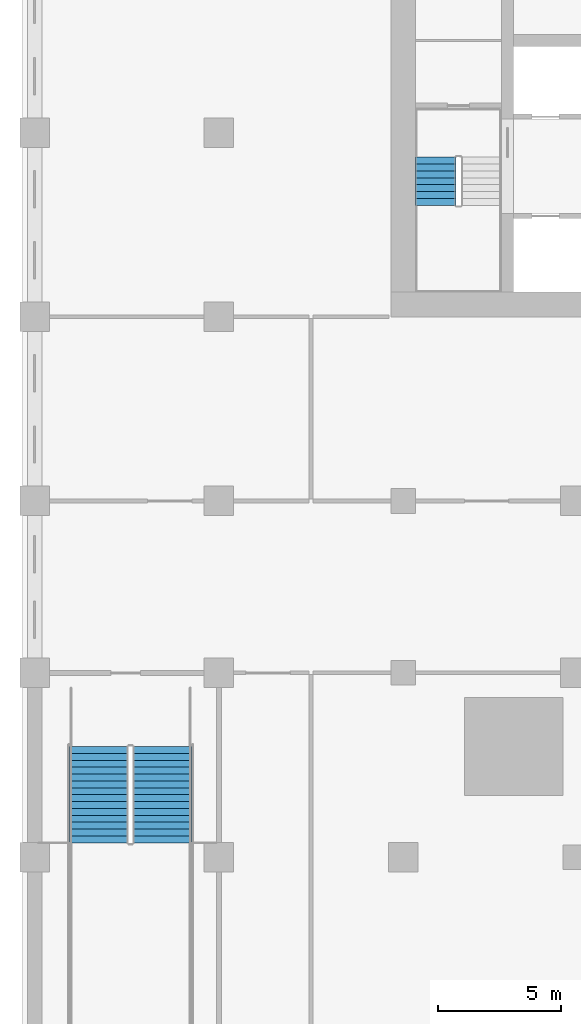
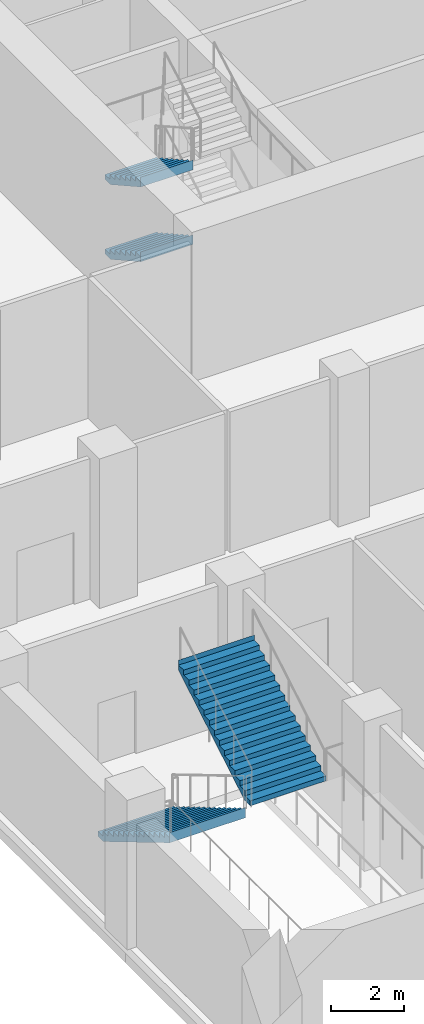
# One storey, part 13 of 32: 4 stair flights, 2 elements without a shape of their own.
"""IFC4 building model written with IfcOpenShell, lengths in metres."""

from ifc_helpers import new_model, si_unit, direction, frame, origin, place, context, subcontext, project, spatial, polyline, outline, extrude, material, type_object, element, aggregate, save


model = new_model("IFC4")

# Units and contexts
model_context = context("Model", 3, precision=1e-05, world=origin(), true_north=direction((0.0, 1.0)))
body_context = subcontext(model_context, "Body", "Model", "MODEL_VIEW")
ifc_project = project(units=[si_unit("LENGTHUNIT", "METRE"), si_unit("AREAUNIT", "SQUARE_METRE"), si_unit("VOLUMEUNIT", "CUBIC_METRE"), si_unit("PLANEANGLEUNIT", "RADIAN"), si_unit("MASSUNIT", "GRAM", prefix="KILO")], contexts=[model_context])

# Site, building, storey
site_placement = place(None, origin())
site = spatial("IfcSite", under=ifc_project, at=site_placement, CompositionType="ELEMENT")
building_placement = place(site_placement, origin())
building = spatial("IfcBuilding", under=site, at=building_placement, Name="Tamorin Gate", CompositionType="ELEMENT")
storey_placement = place(building_placement, frame((0.0, 0.0, 18.5)))
storey = spatial("IfcBuildingStorey", under=building, at=storey_placement, Name="L03", CompositionType="ELEMENT", Elevation=18.5)

# Stair, stair flights
ifc_material_1 = material(Name="Concrete C40/50", Category="concrete")
stair_type_1 = type_object("IfcStairType", Name="Exit stair", PredefinedType="HALF_TURN_STAIR", material=ifc_material_1)
stair_1_placement = place(storey_placement, origin())
stair_1 = element("IfcStair", 1, at=stair_1_placement, inside=storey, type_object=stair_type_1, Name="L03 stair ST1", PredefinedType="HALF_TURN_STAIR")
stair_flight_type_1 = type_object("IfcStairFlightType", Name="Exit stair flight", PredefinedType="STRAIGHT", material=ifc_material_1)
stair_flight_1_placement = place(storey_placement, frame((31.824951171875, 66.5, 0.0), z_axis=(0.0, 0.0, 1.0), x_axis=(0.0, -1.0, 0.0)))
stair_flight_1 = element("IfcStairFlight", 2, at=stair_flight_1_placement, type_object=stair_flight_type_1, Name="ST1 flight 1", NumberOfRisers=8, NumberOfTreads=7, PredefinedType="STRAIGHT", RiserHeight=0.15625, TreadLength=0.28, context=body_context, shape_type="SweptSolid", body=[
    extrude(outline(polyline([(-0.00048828125, 0.0), (-0.00048828125, 0.00146484375), (-0.00048828125, 0.003173828125), (-0.00048828125, 0.004638671875), (-0.00048828125, 0.006103515625), (-0.00048828125, 0.0078125), (-0.00048828125, 0.00927734375), (-0.00048828125, 0.0107421875), (-0.00048828125, 0.012451171875), (-0.00048828125, 0.013916015625), (-0.00048828125, 0.015380859375), (-0.00048828125, 0.01708984375), (-0.00048828125, 0.0185546875), (-0.00048828125, 0.02001953125), (-0.00048828125, 0.021728515625), (-0.00048828125, 0.023193359375), (-0.00048828125, 0.024658203125), (-0.00048828125, 0.0263671875), (-0.00048828125, 0.02783203125), (-0.00048828125, 0.029296875), (-0.00048828125, 0.031005859375), (-0.00048828125, 0.032470703125), (-0.00048828125, 0.033935546875), (-0.00048828125, 0.03564453125), (-0.00048828125, 0.037109375), (-0.00048828125, 0.03857421875), (-0.00048828125, 0.040283203125), (-0.00048828125, 0.041748046875), (-0.00048828125, 0.043212890625), (-0.00048828125, 0.044921875), (-0.00048828125, 0.04638671875), (-0.00048828125, 0.0478515625), (-0.00048828125, 0.049560546875), (-0.00048828125, 0.051025390625), (-0.00048828125, 0.052490234375), (-0.00048828125, 0.05419921875), (-0.00048828125, 0.0556640625), (-0.00048828125, 0.05712890625), (-0.00048828125, 0.058837890625), (-0.00048828125, 0.060302734375), (-0.00048828125, 0.061767578125), (-0.00048828125, 0.0634765625), (-0.00048828125, 0.06494140625), (-0.00048828125, 0.06640625), (-0.00048828125, 0.068115234375), (-0.00048828125, 0.069580078125), (-0.00048828125, 0.071044921875), (-0.00048828125, 0.07275390625), (-0.00048828125, 0.07421875), (-0.00048828125, 0.07568359375), (-0.00048828125, 0.077392578125), (-0.00048828125, 0.078857421875), (-0.00048828125, 0.08056640625), (-0.00048828125, 0.08203125), (-0.00048828125, 0.08349609375), (-0.00048828125, 0.085205078125), (-0.00048828125, 0.086669921875), (-0.00048828125, 0.088134765625), (-0.00048828125, 0.08984375), (-0.00048828125, 0.09130859375), (-0.00048828125, 0.0927734375), (-0.00048828125, 0.094482421875), (-0.00048828125, 0.095947265625), (-0.00048828125, 0.097412109375), (-0.00048828125, 0.09912109375), (-0.00048828125, 0.1005859375), (-0.00048828125, 0.10205078125), (-0.00048828125, 0.103759765625), (-0.00048828125, 0.105224609375), (-0.00048828125, 0.106689453125), (-0.00048828125, 0.1083984375), (-0.00048828125, 0.10986328125), (-0.00048828125, 0.111328125), (-0.00048828125, 0.113037109375), (-0.00048828125, 0.114501953125), (-0.00048828125, 0.115966796875), (-0.00048828125, 0.11767578125), (-0.00048828125, 0.119140625), (-0.00048828125, 0.12060546875), (-0.00048828125, 0.122314453125), (-0.00048828125, 0.123779296875), (-0.00048828125, 0.125244140625), (-0.00048828125, 0.126953125), (-0.00048828125, 0.12841796875), (-0.00048828125, 0.1298828125), (-0.00048828125, 0.131591796875), (-0.00048828125, 0.133056640625), (-0.00048828125, 0.134521484375), (-0.00048828125, 0.13623046875), (-0.00048828125, 0.1376953125), (-0.00048828125, 0.13916015625), (-0.00048828125, 0.140869140625), (-0.00048828125, 0.142333984375), (-0.00048828125, 0.143798828125), (-0.00048828125, 0.1455078125), (-0.00048828125, 0.14697265625), (-0.00048828125, 0.1484375), (-0.00048828125, 0.150146484375), (-0.00048828125, 0.151611328125), (-0.00048828125, 0.153076171875), (-0.00048828125, 0.15478515625), (-0.00048828125, 0.15625), (0.280029296875, 0.15625), (0.280029296875, 0.3125), (0.56005859375, 0.3125), (0.56005859375, 0.46875), (0.840087890625, 0.46875), (0.840087890625, 0.625), (1.1201171875, 0.625), (1.1201171875, 0.78125), (1.39990234375, 0.78125), (1.39990234375, 0.9375), (1.679931640625, 0.9375), (1.679931640625, 1.09375), (1.9599609375, 1.09375), (1.9599609375, 1.25), (1.96044921875, 1.25), (1.96044921875, 1.246826171875), (1.96044921875, 1.243408203125), (1.96044921875, 1.240234375), (1.96044921875, 1.237060546875), (1.96044921875, 1.23388671875), (1.96044921875, 1.23046875), (1.96044921875, 1.227294921875), (1.96044921875, 1.22412109375), (1.96044921875, 1.220703125), (1.96044921875, 1.217529296875), (1.96044921875, 1.21435546875), (1.96044921875, 1.2109375), (1.96044921875, 1.207763671875), (1.96044921875, 1.20458984375), (1.96044921875, 1.201416015625), (1.96044921875, 1.197998046875), (1.96044921875, 1.19482421875), (1.96044921875, 1.191650390625), (1.96044921875, 1.188232421875), (1.96044921875, 1.18505859375), (1.96044921875, 1.181884765625), (1.96044921875, 1.178466796875), (1.96044921875, 1.17529296875), (1.96044921875, 1.172119140625), (1.96044921875, 1.1689453125), (1.96044921875, 1.16552734375), (1.96044921875, 1.162353515625), (1.96044921875, 1.1591796875), (1.96044921875, 1.15576171875), (1.96044921875, 1.152587890625), (1.96044921875, 1.1494140625), (1.96044921875, 1.14599609375), (1.96044921875, 1.142822265625), (1.96044921875, 1.1396484375), (1.96044921875, 1.136474609375), (1.96044921875, 1.133056640625), (1.96044921875, 1.1298828125), (1.96044921875, 1.126708984375), (1.96044921875, 1.123291015625), (1.96044921875, 1.1201171875), (1.96044921875, 1.116943359375), (1.96044921875, 1.113525390625), (1.96044921875, 1.1103515625), (1.96044921875, 1.107177734375), (1.96044921875, 1.10400390625), (1.96044921875, 1.1005859375), (1.96044921875, 1.097412109375), (1.96044921875, 1.09423828125), (1.96044921875, 1.0908203125), (1.96044921875, 1.087646484375), (1.96044921875, 1.08447265625), (1.96044921875, 1.0810546875), (1.96044921875, 1.077880859375), (1.96044921875, 1.07470703125), (1.96044921875, 1.071533203125), (1.96044921875, 1.068115234375), (1.96044921875, 1.06494140625), (1.96044921875, 1.061767578125), (1.96044921875, 1.058349609375), (1.96044921875, 1.05517578125), (1.96044921875, 1.052001953125), (1.96044921875, 1.048828125), (1.96044921875, 1.04541015625), (1.96044921875, 1.042236328125), (1.96044921875, 1.0390625), (1.96044921875, 1.03564453125), (1.96044921875, 1.032470703125), (1.96044921875, 1.029296875), (1.96044921875, 1.02587890625), (1.96044921875, 1.022705078125), (1.96044921875, 1.01953125), (1.96044921875, 1.016357421875), (1.96044921875, 1.012939453125), (1.96044921875, 1.009765625), (1.96044921875, 1.006591796875), (1.96044921875, 1.003173828125), (1.96044921875, 1.0), (1.96044921875, 0.996826171875), (1.96044921875, 0.993408203125), (1.96044921875, 0.990234375), (1.96044921875, 0.987060546875), (1.96044921875, 0.98388671875), (1.96044921875, 0.98046875), (1.96044921875, 0.977294921875), (1.96044921875, 0.97412109375), (1.96044921875, 0.970703125), (1.96044921875, 0.967529296875), (1.96044921875, 0.96435546875), (1.96044921875, 0.9609375), (1.96044921875, 0.957763671875), (1.96044921875, 0.95458984375), (1.96044921875, 0.951416015625), (1.96044921875, 0.947998046875), (1.96044921875, 0.94482421875), (1.96044921875, 0.941650390625), (1.96044921875, 0.938232421875), (1.96044921875, 0.93505859375), (1.96044921875, 0.931884765625), (1.96044921875, 0.928466796875), (1.96044921875, 0.92529296875), (1.96044921875, 0.922119140625), (1.9599609375, 0.922119140625), (0.3076171875, 0.0), (-0.00048828125, 0.0)])), frame((0.0, 0.824951171875, 0.0), z_axis=(0.0, -1.0, 0.0), x_axis=(1.0, 0.0, 0.0)), (0.0, 0.0, 1.0), 1.64990234375),
])
stair_flight_2_placement = place(storey_placement, frame((31.824951171875, 66.5, 2.5), z_axis=(0.0, 0.0, 1.0), x_axis=(0.0, -1.0, 0.0)))
stair_flight_2 = element("IfcStairFlight", 3, at=stair_flight_2_placement, type_object=stair_flight_type_1, Name="ST1 flight 3", NumberOfRisers=8, NumberOfTreads=7, PredefinedType="STRAIGHT", RiserHeight=0.15625, TreadLength=0.28, context=body_context, shape_type="SweptSolid", body=[
    extrude(outline(polyline([(-0.00048828125, 0.0), (-0.00048828125, 0.00146484375), (-0.00048828125, 0.003173828125), (-0.00048828125, 0.004638671875), (-0.00048828125, 0.006103515625), (-0.00048828125, 0.0078125), (-0.00048828125, 0.00927734375), (-0.00048828125, 0.0107421875), (-0.00048828125, 0.012451171875), (-0.00048828125, 0.013916015625), (-0.00048828125, 0.015380859375), (-0.00048828125, 0.01708984375), (-0.00048828125, 0.0185546875), (-0.00048828125, 0.02001953125), (-0.00048828125, 0.021728515625), (-0.00048828125, 0.023193359375), (-0.00048828125, 0.024658203125), (-0.00048828125, 0.0263671875), (-0.00048828125, 0.02783203125), (-0.00048828125, 0.029296875), (-0.00048828125, 0.031005859375), (-0.00048828125, 0.032470703125), (-0.00048828125, 0.033935546875), (-0.00048828125, 0.03564453125), (-0.00048828125, 0.037109375), (-0.00048828125, 0.03857421875), (-0.00048828125, 0.040283203125), (-0.00048828125, 0.041748046875), (-0.00048828125, 0.043212890625), (-0.00048828125, 0.044921875), (-0.00048828125, 0.04638671875), (-0.00048828125, 0.0478515625), (-0.00048828125, 0.049560546875), (-0.00048828125, 0.051025390625), (-0.00048828125, 0.052490234375), (-0.00048828125, 0.05419921875), (-0.00048828125, 0.0556640625), (-0.00048828125, 0.05712890625), (-0.00048828125, 0.058837890625), (-0.00048828125, 0.060302734375), (-0.00048828125, 0.061767578125), (-0.00048828125, 0.0634765625), (-0.00048828125, 0.06494140625), (-0.00048828125, 0.06640625), (-0.00048828125, 0.068115234375), (-0.00048828125, 0.069580078125), (-0.00048828125, 0.071044921875), (-0.00048828125, 0.07275390625), (-0.00048828125, 0.07421875), (-0.00048828125, 0.07568359375), (-0.00048828125, 0.077392578125), (-0.00048828125, 0.078857421875), (-0.00048828125, 0.08056640625), (-0.00048828125, 0.08203125), (-0.00048828125, 0.08349609375), (-0.00048828125, 0.085205078125), (-0.00048828125, 0.086669921875), (-0.00048828125, 0.088134765625), (-0.00048828125, 0.08984375), (-0.00048828125, 0.09130859375), (-0.00048828125, 0.0927734375), (-0.00048828125, 0.094482421875), (-0.00048828125, 0.095947265625), (-0.00048828125, 0.097412109375), (-0.00048828125, 0.09912109375), (-0.00048828125, 0.1005859375), (-0.00048828125, 0.10205078125), (-0.00048828125, 0.103759765625), (-0.00048828125, 0.105224609375), (-0.00048828125, 0.106689453125), (-0.00048828125, 0.1083984375), (-0.00048828125, 0.10986328125), (-0.00048828125, 0.111328125), (-0.00048828125, 0.113037109375), (-0.00048828125, 0.114501953125), (-0.00048828125, 0.115966796875), (-0.00048828125, 0.11767578125), (-0.00048828125, 0.119140625), (-0.00048828125, 0.12060546875), (-0.00048828125, 0.122314453125), (-0.00048828125, 0.123779296875), (-0.00048828125, 0.125244140625), (-0.00048828125, 0.126953125), (-0.00048828125, 0.12841796875), (-0.00048828125, 0.1298828125), (-0.00048828125, 0.131591796875), (-0.00048828125, 0.133056640625), (-0.00048828125, 0.134521484375), (-0.00048828125, 0.13623046875), (-0.00048828125, 0.1376953125), (-0.00048828125, 0.13916015625), (-0.00048828125, 0.140869140625), (-0.00048828125, 0.142333984375), (-0.00048828125, 0.143798828125), (-0.00048828125, 0.1455078125), (-0.00048828125, 0.14697265625), (-0.00048828125, 0.1484375), (-0.00048828125, 0.150146484375), (-0.00048828125, 0.151611328125), (-0.00048828125, 0.153076171875), (-0.00048828125, 0.15478515625), (-0.00048828125, 0.15625), (0.280029296875, 0.15625), (0.280029296875, 0.3125), (0.56005859375, 0.3125), (0.56005859375, 0.46875), (0.840087890625, 0.46875), (0.840087890625, 0.625), (1.1201171875, 0.625), (1.1201171875, 0.78125), (1.39990234375, 0.78125), (1.39990234375, 0.9375), (1.679931640625, 0.9375), (1.679931640625, 1.09375), (1.9599609375, 1.09375), (1.9599609375, 1.25), (1.96044921875, 1.25), (1.96044921875, 1.246826171875), (1.96044921875, 1.243408203125), (1.96044921875, 1.240234375), (1.96044921875, 1.237060546875), (1.96044921875, 1.23388671875), (1.96044921875, 1.23046875), (1.96044921875, 1.227294921875), (1.96044921875, 1.22412109375), (1.96044921875, 1.220703125), (1.96044921875, 1.217529296875), (1.96044921875, 1.21435546875), (1.96044921875, 1.2109375), (1.96044921875, 1.207763671875), (1.96044921875, 1.20458984375), (1.96044921875, 1.201416015625), (1.96044921875, 1.197998046875), (1.96044921875, 1.19482421875), (1.96044921875, 1.191650390625), (1.96044921875, 1.188232421875), (1.96044921875, 1.18505859375), (1.96044921875, 1.181884765625), (1.96044921875, 1.178466796875), (1.96044921875, 1.17529296875), (1.96044921875, 1.172119140625), (1.96044921875, 1.1689453125), (1.96044921875, 1.16552734375), (1.96044921875, 1.162353515625), (1.96044921875, 1.1591796875), (1.96044921875, 1.15576171875), (1.96044921875, 1.152587890625), (1.96044921875, 1.1494140625), (1.96044921875, 1.14599609375), (1.96044921875, 1.142822265625), (1.96044921875, 1.1396484375), (1.96044921875, 1.136474609375), (1.96044921875, 1.133056640625), (1.96044921875, 1.1298828125), (1.96044921875, 1.126708984375), (1.96044921875, 1.123291015625), (1.96044921875, 1.1201171875), (1.96044921875, 1.116943359375), (1.96044921875, 1.113525390625), (1.96044921875, 1.1103515625), (1.96044921875, 1.107177734375), (1.96044921875, 1.10400390625), (1.96044921875, 1.1005859375), (1.96044921875, 1.097412109375), (1.96044921875, 1.09423828125), (1.96044921875, 1.0908203125), (1.96044921875, 1.087646484375), (1.96044921875, 1.08447265625), (1.96044921875, 1.0810546875), (1.96044921875, 1.077880859375), (1.96044921875, 1.07470703125), (1.96044921875, 1.071533203125), (1.96044921875, 1.068115234375), (1.96044921875, 1.06494140625), (1.96044921875, 1.061767578125), (1.96044921875, 1.058349609375), (1.96044921875, 1.05517578125), (1.96044921875, 1.052001953125), (1.96044921875, 1.048828125), (1.96044921875, 1.04541015625), (1.96044921875, 1.042236328125), (1.96044921875, 1.0390625), (1.96044921875, 1.03564453125), (1.96044921875, 1.032470703125), (1.96044921875, 1.029296875), (1.96044921875, 1.02587890625), (1.96044921875, 1.022705078125), (1.96044921875, 1.01953125), (1.96044921875, 1.016357421875), (1.96044921875, 1.012939453125), (1.96044921875, 1.009765625), (1.96044921875, 1.006591796875), (1.96044921875, 1.003173828125), (1.96044921875, 1.0), (1.96044921875, 0.996826171875), (1.96044921875, 0.993408203125), (1.96044921875, 0.990234375), (1.96044921875, 0.987060546875), (1.96044921875, 0.98388671875), (1.96044921875, 0.98046875), (1.96044921875, 0.977294921875), (1.96044921875, 0.97412109375), (1.96044921875, 0.970703125), (1.96044921875, 0.967529296875), (1.96044921875, 0.96435546875), (1.96044921875, 0.9609375), (1.96044921875, 0.957763671875), (1.96044921875, 0.95458984375), (1.96044921875, 0.951416015625), (1.96044921875, 0.947998046875), (1.96044921875, 0.94482421875), (1.96044921875, 0.941650390625), (1.96044921875, 0.938232421875), (1.96044921875, 0.93505859375), (1.96044921875, 0.931884765625), (1.96044921875, 0.928466796875), (1.96044921875, 0.92529296875), (1.96044921875, 0.922119140625), (1.9599609375, 0.922119140625), (0.3076171875, 0.0), (-0.00048828125, 0.0)])), frame((0.0, 0.824951171875, 0.0), z_axis=(0.0, -1.0, 0.0), x_axis=(1.0, 0.0, 0.0)), (0.0, 0.0, 1.0), 1.64990234375),
])
aggregate(stair_1, [stair_flight_1, stair_flight_2])

ifc_material_2 = material(Name="Reinforced concrete C32/40", Category="concrete")
stair_type_2 = type_object("IfcStairType", Name="Podium stair PS", PredefinedType="HALF_TURN_STAIR", material=ifc_material_2)
stair_2_placement = place(storey_placement, origin())
stair_2 = element("IfcStair", 4, at=stair_2_placement, inside=storey, type_object=stair_type_2, Name="L03 Podium stair PS1", PredefinedType="HALF_TURN_STAIR")
stair_flight_type_2 = type_object("IfcStairFlightType", Name="Stair flight 2400", PredefinedType="STRAIGHT", material=ifc_material_2)
stair_flight_3_placement = place(storey_placement, frame((18.125, 42.5, 0.0), z_axis=(0.0, 0.0, 1.0), x_axis=(0.0, -1.0, 0.0)))
stair_flight_3 = element("IfcStairFlight", 5, at=stair_flight_3_placement, type_object=stair_flight_type_2, Name="PS1 flight 1", NumberOfRisers=15, NumberOfTreads=14, PredefinedType="STRAIGHT", RiserHeight=0.166666667, TreadLength=0.28, context=body_context, shape_type="SweptSolid", body=[
    extrude(outline(polyline([(-0.00048828125, 0.0), (-0.00048828125, 0.001708984375), (-0.00048828125, 0.00341796875), (-0.00048828125, 0.0048828125), (-0.00048828125, 0.006591796875), (-0.00048828125, 0.00830078125), (-0.00048828125, 0.010009765625), (-0.00048828125, 0.011474609375), (-0.00048828125, 0.01318359375), (-0.00048828125, 0.014892578125), (-0.00048828125, 0.0166015625), (-0.00048828125, 0.01806640625), (-0.00048828125, 0.019775390625), (-0.00048828125, 0.021484375), (-0.00048828125, 0.023193359375), (-0.00048828125, 0.024658203125), (-0.00048828125, 0.0263671875), (-0.00048828125, 0.028076171875), (-0.00048828125, 0.02978515625), (-0.00048828125, 0.03125), (-0.00048828125, 0.032958984375), (-0.00048828125, 0.03466796875), (-0.00048828125, 0.036376953125), (-0.00048828125, 0.037841796875), (-0.00048828125, 0.03955078125), (-0.00048828125, 0.041259765625), (-0.00048828125, 0.04296875), (-0.00048828125, 0.04443359375), (-0.00048828125, 0.046142578125), (-0.00048828125, 0.0478515625), (-0.00048828125, 0.049560546875), (-0.00048828125, 0.05126953125), (-0.00048828125, 0.052734375), (-0.00048828125, 0.054443359375), (-0.00048828125, 0.05615234375), (-0.00048828125, 0.057861328125), (-0.00048828125, 0.059326171875), (-0.00048828125, 0.06103515625), (-0.00048828125, 0.062744140625), (-0.00048828125, 0.064453125), (-0.00048828125, 0.06591796875), (-0.00048828125, 0.067626953125), (-0.00048828125, 0.0693359375), (-0.00048828125, 0.071044921875), (-0.00048828125, 0.072509765625), (-0.00048828125, 0.07421875), (-0.00048828125, 0.075927734375), (-0.00048828125, 0.07763671875), (-0.00048828125, 0.0791015625), (-0.00048828125, 0.080810546875), (-0.00048828125, 0.08251953125), (-0.00048828125, 0.084228515625), (-0.00048828125, 0.085693359375), (-0.00048828125, 0.08740234375), (-0.00048828125, 0.089111328125), (-0.00048828125, 0.0908203125), (-0.00048828125, 0.092529296875), (-0.00048828125, 0.093994140625), (-0.00048828125, 0.095703125), (-0.00048828125, 0.097412109375), (-0.00048828125, 0.09912109375), (-0.00048828125, 0.1005859375), (-0.00048828125, 0.102294921875), (-0.00048828125, 0.10400390625), (-0.00048828125, 0.105712890625), (-0.00048828125, 0.107177734375), (-0.00048828125, 0.10888671875), (-0.00048828125, 0.110595703125), (-0.00048828125, 0.1123046875), (-0.00048828125, 0.11376953125), (-0.00048828125, 0.115478515625), (-0.00048828125, 0.1171875), (-0.00048828125, 0.118896484375), (-0.00048828125, 0.120361328125), (-0.00048828125, 0.1220703125), (-0.00048828125, 0.123779296875), (-0.00048828125, 0.12548828125), (-0.00048828125, 0.126953125), (-0.00048828125, 0.128662109375), (-0.00048828125, 0.13037109375), (-0.00048828125, 0.132080078125), (-0.00048828125, 0.133544921875), (-0.00048828125, 0.13525390625), (-0.00048828125, 0.136962890625), (-0.00048828125, 0.138671875), (-0.00048828125, 0.140380859375), (-0.00048828125, 0.141845703125), (-0.00048828125, 0.1435546875), (-0.00048828125, 0.145263671875), (-0.00048828125, 0.14697265625), (-0.00048828125, 0.1484375), (-0.00048828125, 0.150146484375), (-0.00048828125, 0.15185546875), (-0.00048828125, 0.153564453125), (-0.00048828125, 0.155029296875), (-0.00048828125, 0.15673828125), (-0.00048828125, 0.158447265625), (-0.00048828125, 0.16015625), (-0.00048828125, 0.16162109375), (-0.00048828125, 0.163330078125), (-0.00048828125, 0.1650390625), (-0.00048828125, 0.166748046875), (0.280029296875, 0.166748046875), (0.280029296875, 0.333251953125), (0.56005859375, 0.333251953125), (0.56005859375, 0.5), (0.840087890625, 0.5), (0.840087890625, 0.666748046875), (1.1201171875, 0.666748046875), (1.1201171875, 0.833251953125), (1.39990234375, 0.833251953125), (1.39990234375, 1.0), (1.679931640625, 1.0), (1.679931640625, 1.166748046875), (1.9599609375, 1.166748046875), (1.9599609375, 1.333251953125), (2.239990234375, 1.333251953125), (2.239990234375, 1.5), (2.52001953125, 1.5), (2.52001953125, 1.666748046875), (2.800048828125, 1.666748046875), (2.800048828125, 1.833251953125), (3.080078125, 1.833251953125), (3.080078125, 2.0), (3.360107421875, 2.0), (3.360107421875, 2.166748046875), (3.639892578125, 2.166748046875), (3.639892578125, 2.333251953125), (3.919921875, 2.333251953125), (3.919921875, 2.5), (3.92041015625, 2.5), (3.92041015625, 2.49658203125), (3.92041015625, 2.4931640625), (3.92041015625, 2.48974609375), (3.92041015625, 2.486572265625), (3.92041015625, 2.483154296875), (3.92041015625, 2.479736328125), (3.92041015625, 2.476318359375), (3.92041015625, 2.472900390625), (3.92041015625, 2.469482421875), (3.92041015625, 2.46630859375), (3.92041015625, 2.462890625), (3.92041015625, 2.45947265625), (3.92041015625, 2.4560546875), (3.92041015625, 2.45263671875), (3.92041015625, 2.44921875), (3.92041015625, 2.446044921875), (3.92041015625, 2.442626953125), (3.92041015625, 2.439208984375), (3.92041015625, 2.435791015625), (3.92041015625, 2.432373046875), (3.92041015625, 2.428955078125), (3.92041015625, 2.42578125), (3.92041015625, 2.42236328125), (3.92041015625, 2.4189453125), (3.92041015625, 2.41552734375), (3.92041015625, 2.412109375), (3.92041015625, 2.40869140625), (3.92041015625, 2.405517578125), (3.92041015625, 2.402099609375), (3.92041015625, 2.398681640625), (3.92041015625, 2.395263671875), (3.92041015625, 2.391845703125), (3.92041015625, 2.388427734375), (3.92041015625, 2.38525390625), (3.92041015625, 2.3818359375), (3.92041015625, 2.37841796875), (3.92041015625, 2.375), (3.92041015625, 2.37158203125), (3.92041015625, 2.3681640625), (3.92041015625, 2.364990234375), (3.92041015625, 2.361572265625), (3.92041015625, 2.358154296875), (3.92041015625, 2.354736328125), (3.92041015625, 2.351318359375), (3.92041015625, 2.347900390625), (3.92041015625, 2.3447265625), (3.92041015625, 2.34130859375), (3.92041015625, 2.337890625), (3.92041015625, 2.33447265625), (3.92041015625, 2.3310546875), (3.92041015625, 2.32763671875), (3.92041015625, 2.324462890625), (3.92041015625, 2.321044921875), (3.92041015625, 2.317626953125), (3.92041015625, 2.314208984375), (3.92041015625, 2.310791015625), (3.92041015625, 2.307373046875), (3.92041015625, 2.30419921875), (3.92041015625, 2.30078125), (3.92041015625, 2.29736328125), (3.92041015625, 2.2939453125), (3.92041015625, 2.29052734375), (3.92041015625, 2.287109375), (3.92041015625, 2.283935546875), (3.92041015625, 2.280517578125), (3.92041015625, 2.277099609375), (3.92041015625, 2.273681640625), (3.92041015625, 2.270263671875), (3.92041015625, 2.266845703125), (3.92041015625, 2.263671875), (3.92041015625, 2.26025390625), (3.92041015625, 2.2568359375), (3.92041015625, 2.25341796875), (3.92041015625, 2.25), (3.92041015625, 2.24658203125), (3.92041015625, 2.243408203125), (3.92041015625, 2.239990234375), (3.92041015625, 2.236572265625), (3.92041015625, 2.233154296875), (3.92041015625, 2.229736328125), (3.92041015625, 2.226318359375), (3.92041015625, 2.22314453125), (3.92041015625, 2.2197265625), (3.92041015625, 2.21630859375), (3.92041015625, 2.212890625), (3.92041015625, 2.20947265625), (3.92041015625, 2.2060546875), (3.92041015625, 2.202880859375), (3.92041015625, 2.199462890625), (3.92041015625, 2.196044921875), (3.92041015625, 2.192626953125), (3.92041015625, 2.189208984375), (3.92041015625, 2.185791015625), (3.92041015625, 2.1826171875), (3.92041015625, 2.17919921875), (3.92041015625, 2.17578125), (3.92041015625, 2.17236328125), (3.92041015625, 2.1689453125), (3.92041015625, 2.16552734375), (3.92041015625, 2.162353515625), (3.92041015625, 2.158935546875), (3.919921875, 2.158935546875), (0.29296875, 0.0), (-0.00048828125, 0.0)])), frame((0.0, 1.199951171875, 0.0), z_axis=(0.0, -1.0, 0.0), x_axis=(1.0, 0.0, 0.0)), (0.0, 0.0, 1.0), 2.39990234375),
])
stair_flight_4_placement = place(storey_placement, frame((20.675048828125, 38.580078125, 2.5), z_axis=(0.0, 0.0, 1.0), x_axis=(0.0, 1.0, 0.0)))
stair_flight_4 = element("IfcStairFlight", 6, at=stair_flight_4_placement, type_object=stair_flight_type_2, Name="PS1 flight 2", NumberOfRisers=15, NumberOfTreads=14, PredefinedType="STRAIGHT", RiserHeight=0.166666667, TreadLength=0.28, context=body_context, shape_type="SweptSolid", body=[
    extrude(outline(polyline([(-0.00048828125, 0.0), (-0.00048828125, 0.001708984375), (-0.00048828125, 0.00341796875), (-0.00048828125, 0.0048828125), (-0.00048828125, 0.006591796875), (-0.00048828125, 0.00830078125), (-0.00048828125, 0.010009765625), (-0.00048828125, 0.011474609375), (-0.00048828125, 0.01318359375), (-0.00048828125, 0.014892578125), (-0.00048828125, 0.0166015625), (-0.00048828125, 0.01806640625), (-0.00048828125, 0.019775390625), (-0.00048828125, 0.021484375), (-0.00048828125, 0.023193359375), (-0.00048828125, 0.024658203125), (-0.00048828125, 0.0263671875), (-0.00048828125, 0.028076171875), (-0.00048828125, 0.02978515625), (-0.00048828125, 0.03125), (-0.00048828125, 0.032958984375), (-0.00048828125, 0.03466796875), (-0.00048828125, 0.036376953125), (-0.00048828125, 0.037841796875), (-0.00048828125, 0.03955078125), (-0.00048828125, 0.041259765625), (-0.00048828125, 0.04296875), (-0.00048828125, 0.04443359375), (-0.00048828125, 0.046142578125), (-0.00048828125, 0.0478515625), (-0.00048828125, 0.049560546875), (-0.00048828125, 0.05126953125), (-0.00048828125, 0.052734375), (-0.00048828125, 0.054443359375), (-0.00048828125, 0.05615234375), (-0.00048828125, 0.057861328125), (-0.00048828125, 0.059326171875), (-0.00048828125, 0.06103515625), (-0.00048828125, 0.062744140625), (-0.00048828125, 0.064453125), (-0.00048828125, 0.06591796875), (-0.00048828125, 0.067626953125), (-0.00048828125, 0.0693359375), (-0.00048828125, 0.071044921875), (-0.00048828125, 0.072509765625), (-0.00048828125, 0.07421875), (-0.00048828125, 0.075927734375), (-0.00048828125, 0.07763671875), (-0.00048828125, 0.0791015625), (-0.00048828125, 0.080810546875), (-0.00048828125, 0.08251953125), (-0.00048828125, 0.084228515625), (-0.00048828125, 0.085693359375), (-0.00048828125, 0.08740234375), (-0.00048828125, 0.089111328125), (-0.00048828125, 0.0908203125), (-0.00048828125, 0.092529296875), (-0.00048828125, 0.093994140625), (-0.00048828125, 0.095703125), (-0.00048828125, 0.097412109375), (-0.00048828125, 0.09912109375), (-0.00048828125, 0.1005859375), (-0.00048828125, 0.102294921875), (-0.00048828125, 0.10400390625), (-0.00048828125, 0.105712890625), (-0.00048828125, 0.107177734375), (-0.00048828125, 0.10888671875), (-0.00048828125, 0.110595703125), (-0.00048828125, 0.1123046875), (-0.00048828125, 0.11376953125), (-0.00048828125, 0.115478515625), (-0.00048828125, 0.1171875), (-0.00048828125, 0.118896484375), (-0.00048828125, 0.120361328125), (-0.00048828125, 0.1220703125), (-0.00048828125, 0.123779296875), (-0.00048828125, 0.12548828125), (-0.00048828125, 0.126953125), (-0.00048828125, 0.128662109375), (-0.00048828125, 0.13037109375), (-0.00048828125, 0.132080078125), (-0.00048828125, 0.133544921875), (-0.00048828125, 0.13525390625), (-0.00048828125, 0.136962890625), (-0.00048828125, 0.138671875), (-0.00048828125, 0.140380859375), (-0.00048828125, 0.141845703125), (-0.00048828125, 0.1435546875), (-0.00048828125, 0.145263671875), (-0.00048828125, 0.14697265625), (-0.00048828125, 0.1484375), (-0.00048828125, 0.150146484375), (-0.00048828125, 0.15185546875), (-0.00048828125, 0.153564453125), (-0.00048828125, 0.155029296875), (-0.00048828125, 0.15673828125), (-0.00048828125, 0.158447265625), (-0.00048828125, 0.16015625), (-0.00048828125, 0.16162109375), (-0.00048828125, 0.163330078125), (-0.00048828125, 0.1650390625), (-0.00048828125, 0.166748046875), (0.280029296875, 0.166748046875), (0.280029296875, 0.333251953125), (0.56005859375, 0.333251953125), (0.56005859375, 0.5), (0.840087890625, 0.5), (0.840087890625, 0.666748046875), (1.1201171875, 0.666748046875), (1.1201171875, 0.833251953125), (1.39990234375, 0.833251953125), (1.39990234375, 1.0), (1.679931640625, 1.0), (1.679931640625, 1.166748046875), (1.9599609375, 1.166748046875), (1.9599609375, 1.333251953125), (2.239990234375, 1.333251953125), (2.239990234375, 1.5), (2.52001953125, 1.5), (2.52001953125, 1.666748046875), (2.800048828125, 1.666748046875), (2.800048828125, 1.833251953125), (3.080078125, 1.833251953125), (3.080078125, 2.0), (3.360107421875, 2.0), (3.360107421875, 2.166748046875), (3.639892578125, 2.166748046875), (3.639892578125, 2.333251953125), (3.919921875, 2.333251953125), (3.919921875, 2.5), (3.92041015625, 2.5), (3.92041015625, 2.49658203125), (3.92041015625, 2.4931640625), (3.92041015625, 2.48974609375), (3.92041015625, 2.486572265625), (3.92041015625, 2.483154296875), (3.92041015625, 2.479736328125), (3.92041015625, 2.476318359375), (3.92041015625, 2.472900390625), (3.92041015625, 2.469482421875), (3.92041015625, 2.46630859375), (3.92041015625, 2.462890625), (3.92041015625, 2.45947265625), (3.92041015625, 2.4560546875), (3.92041015625, 2.45263671875), (3.92041015625, 2.44921875), (3.92041015625, 2.446044921875), (3.92041015625, 2.442626953125), (3.92041015625, 2.439208984375), (3.92041015625, 2.435791015625), (3.92041015625, 2.432373046875), (3.92041015625, 2.428955078125), (3.92041015625, 2.42578125), (3.92041015625, 2.42236328125), (3.92041015625, 2.4189453125), (3.92041015625, 2.41552734375), (3.92041015625, 2.412109375), (3.92041015625, 2.40869140625), (3.92041015625, 2.405517578125), (3.92041015625, 2.402099609375), (3.92041015625, 2.398681640625), (3.92041015625, 2.395263671875), (3.92041015625, 2.391845703125), (3.92041015625, 2.388427734375), (3.92041015625, 2.38525390625), (3.92041015625, 2.3818359375), (3.92041015625, 2.37841796875), (3.92041015625, 2.375), (3.92041015625, 2.37158203125), (3.92041015625, 2.3681640625), (3.92041015625, 2.364990234375), (3.92041015625, 2.361572265625), (3.92041015625, 2.358154296875), (3.92041015625, 2.354736328125), (3.92041015625, 2.351318359375), (3.92041015625, 2.347900390625), (3.92041015625, 2.3447265625), (3.92041015625, 2.34130859375), (3.92041015625, 2.337890625), (3.92041015625, 2.33447265625), (3.92041015625, 2.3310546875), (3.92041015625, 2.32763671875), (3.92041015625, 2.324462890625), (3.92041015625, 2.321044921875), (3.92041015625, 2.317626953125), (3.92041015625, 2.314208984375), (3.92041015625, 2.310791015625), (3.92041015625, 2.307373046875), (3.92041015625, 2.30419921875), (3.92041015625, 2.30078125), (3.92041015625, 2.29736328125), (3.92041015625, 2.2939453125), (3.92041015625, 2.29052734375), (3.92041015625, 2.287109375), (3.92041015625, 2.283935546875), (3.92041015625, 2.280517578125), (3.92041015625, 2.277099609375), (3.92041015625, 2.273681640625), (3.92041015625, 2.270263671875), (3.92041015625, 2.266845703125), (3.92041015625, 2.263671875), (3.92041015625, 2.26025390625), (3.92041015625, 2.2568359375), (3.92041015625, 2.25341796875), (3.92041015625, 2.25), (3.92041015625, 2.24658203125), (3.92041015625, 2.243408203125), (3.92041015625, 2.239990234375), (3.92041015625, 2.236572265625), (3.92041015625, 2.233154296875), (3.92041015625, 2.229736328125), (3.92041015625, 2.226318359375), (3.92041015625, 2.22314453125), (3.92041015625, 2.2197265625), (3.92041015625, 2.21630859375), (3.92041015625, 2.212890625), (3.92041015625, 2.20947265625), (3.92041015625, 2.2060546875), (3.92041015625, 2.202880859375), (3.92041015625, 2.199462890625), (3.92041015625, 2.196044921875), (3.92041015625, 2.192626953125), (3.92041015625, 2.189208984375), (3.92041015625, 2.185791015625), (3.92041015625, 2.1826171875), (3.92041015625, 2.17919921875), (3.92041015625, 2.17578125), (3.92041015625, 2.17236328125), (3.92041015625, 2.1689453125), (3.92041015625, 2.16552734375), (3.92041015625, 2.162353515625), (3.92041015625, 2.158935546875), (3.919921875, 2.158935546875), (0.29296875, 0.0), (-0.00048828125, 0.0)])), frame((0.0, 1.199951171875, 0.0), z_axis=(0.0, -1.0, 0.0), x_axis=(1.0, 0.0, 0.0)), (0.0, 0.0, 1.0), 2.39990234375),
])
aggregate(stair_2, [stair_flight_3, stair_flight_4])

save(model, "model.ifc")
